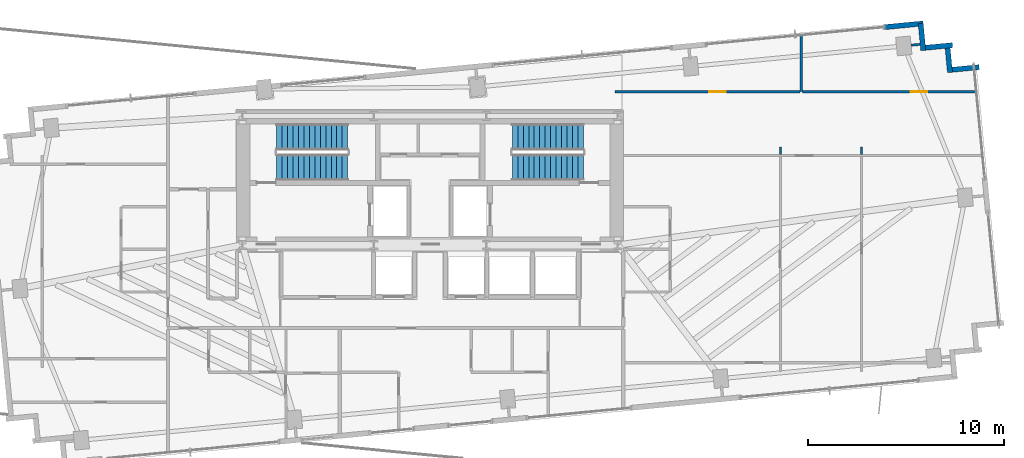
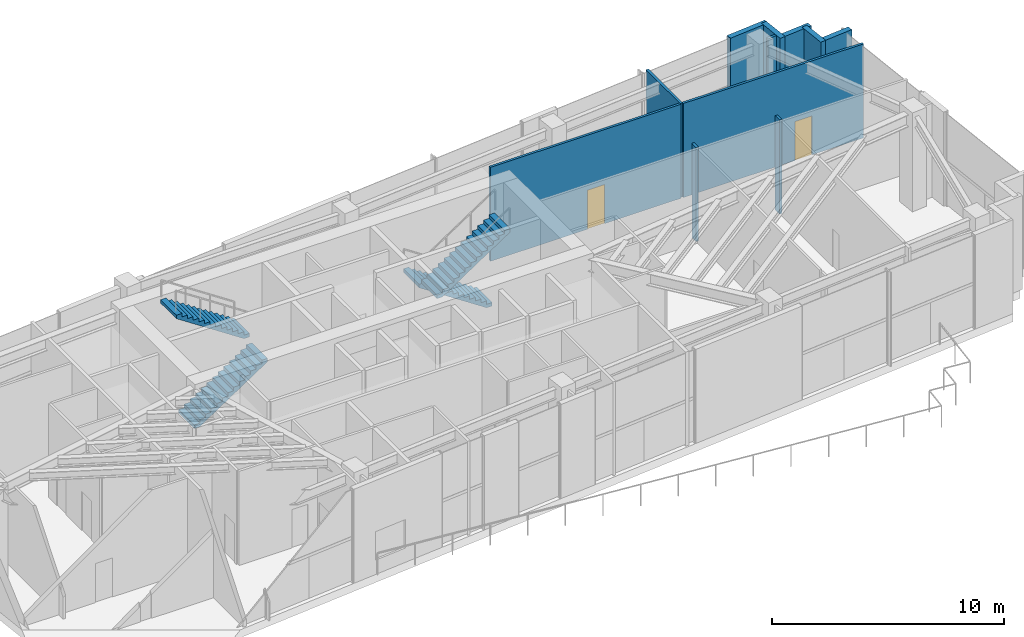
# One storey, part 17 of 21: 11 walls, 4 stair flights, 2 doors, 2 openings, 2 elements without a shape of their own.
"""IFC4 building model written with IfcOpenShell, lengths in metres."""

from ifc_helpers import new_model, si_unit, direction, frame, frame_2d, origin, place, context, subcontext, project, spatial, polyline, rectangle, outline, extrude, source, transform, mapped, material, layer, layer_set, type_object, type_shapes, element, fill, aggregate, save


model = new_model("IFC4")

# Units and contexts
model_context = context("Model", 3, precision=1e-05, world=origin(), true_north=direction((0.0, 1.0)))
body_context = subcontext(model_context, "Body", "Model", "MODEL_VIEW")
ifc_project = project(units=[si_unit("LENGTHUNIT", "METRE"), si_unit("AREAUNIT", "SQUARE_METRE"), si_unit("VOLUMEUNIT", "CUBIC_METRE"), si_unit("PLANEANGLEUNIT", "RADIAN"), si_unit("MASSUNIT", "GRAM", prefix="KILO")], contexts=[model_context])

# Site, building, storey
site_placement = place(None, origin())
site = spatial("IfcSite", under=ifc_project, at=site_placement, CompositionType="ELEMENT")
building_placement = place(site_placement, origin())
building = spatial("IfcBuilding", under=site, at=building_placement, Name="Astriad Promenade Condominiums", CompositionType="ELEMENT")
storey_placement = place(building_placement, frame((0.0, 0.0, 167.800048828125)))
storey = spatial("IfcBuildingStorey", under=building, at=storey_placement, Name="L48", CompositionType="ELEMENT", Elevation=167.800048828125)

# Walls
ifc_material_1 = material(Name="Precast concrete C50/60", Category="concrete")
ifc_layer_1 = layer(ifc_material_1, 0.260009765625)
ifc_layer_set_1 = layer_set([ifc_layer_1], Name="Precast concrete C50/60")
wall_type_1 = type_object("IfcWallType", Name="WALL-EXT-TWR-260", PredefinedType="STANDARD", material=ifc_layer_set_1)
wall_1_placement = place(storey_placement, frame((59.23388671875, 28.541015625, 0.0), z_axis=(0.0, 0.0, 1.0), x_axis=(0.995398960025, 0.095817067274, 0.0)))
element("IfcWall", 1, at=wall_1_placement, inside=storey, type_object=wall_type_1, Name="W-SGCOL-L48-N-5", PredefinedType="STANDARD", context=body_context, shape_type="SweptSolid", body=[
    extrude(rectangle(XDim=2.000244140625, YDim=0.260009765625, at=frame_2d((1.0, 0.0))), origin(), (0.0, 0.0, 1.0), 4.93994140625),
])
wall_2_placement = place(storey_placement, frame((61.093994140625, 28.735107421875, 0.0), z_axis=(0.0, 0.0, 1.0), x_axis=(0.095742423056, -0.99540614245, 0.0)))
element("IfcWall", 2, at=wall_2_placement, inside=storey, type_object=wall_type_1, Name="W-SER-L48-09", PredefinedType="STANDARD", context=body_context, shape_type="SweptSolid", body=[
    extrude(rectangle(XDim=1.394775390625, YDim=0.260009765625, at=frame_2d((0.697265625, 0.0))), origin(), (0.0, 0.0, 1.0), 4.93994140625),
])
wall_3_placement = place(storey_placement, frame((61.32958984375, 27.487060546875, 0.0), z_axis=(0.0, 0.0, 1.0), x_axis=(0.995391056452, 0.09589913835, 0.0)))
element("IfcWall", 3, at=wall_3_placement, inside=storey, type_object=wall_type_1, Name="W-SER-L48-10", PredefinedType="STANDARD", context=body_context, shape_type="SweptSolid", body=[
    extrude(rectangle(XDim=1.39501953125, YDim=0.260009765625, at=frame_2d((0.697509765625, 0.0))), origin(), (0.0, 0.0, 1.0), 4.93994140625),
])
for number, where, z_axis, x_axis, name in (
    (4, (62.4580078125, 27.610595703125, 0.0), (0.0, 0.0, 1.0), (0.095915846097, -0.995389446633, 0.0), "W-SER-L48-11"),
    (5, (62.69384765625, 26.362548828125, 0.0), (0.0, 0.0, 1.0), (0.995389446633, 0.095915846097, 0.0), "W-SER-L48-12"),
):
    element("IfcWall", number, at=place(storey_placement, frame(where, z_axis=z_axis, x_axis=x_axis)), inside=storey, type_object=wall_type_1, Name=name, PredefinedType="STANDARD", context=body_context, shape_type="SweptSolid", body=[
        extrude(rectangle(XDim=1.394775390625, YDim=0.260009765625, at=frame_2d((0.697265625, 0.0))), origin(), (0.0, 0.0, 1.0), 4.93994140625),
    ])
ifc_material_2 = material(Name="Acoustic Metal-Stud Gypsum Partition")
ifc_layer_2 = layer(ifc_material_2, 0.1201171875)
ifc_layer_set_2 = layer_set([ifc_layer_2], Name="Acoustic Metal-Stud Gypsum Partition")
wall_type_2 = type_object("IfcWallType", Name="WALL-PART-120", PredefinedType="PARTITIONING", material=ifc_layer_set_2)
wall_4_placement = place(storey_placement, frame((54.98291015625, 25.2470703125, 0.0), z_axis=(0.0, 0.0, 1.0), x_axis=(0.0, 1.0, 0.0)))
element("IfcWall", 6, at=wall_4_placement, inside=storey, type_object=wall_type_2, Name="PT-L48-E1-B1M", PredefinedType="PARTITIONING", context=body_context, shape_type="SweptSolid", body=[
    extrude(rectangle(XDim=2.934814453125, YDim=0.1201171875, at=frame_2d((1.46728515625, 0.0))), origin(), (0.0, 0.0, 1.0), 4.93994140625),
])

# Wall, opening, door
wall_5_placement = place(storey_placement, frame((45.4599609375, 25.2470703125, 0.0), z_axis=(0.0, 0.0, 1.0), x_axis=(1.0, 0.0, 0.0)))
wall_5 = element("IfcWall", 7, at=wall_5_placement, inside=storey, type_object=wall_type_2, Name="PT-L48-E1-B1", PredefinedType="PARTITIONING", context=body_context, shape_type="SweptSolid", body=[
    extrude(rectangle(XDim=9.4609375, YDim=0.1201171875, at=frame_2d((4.73046875, 0.0))), origin(), (0.0, 0.0, 1.0), 4.93994140625),
])
opening_1_placement = place(wall_5_placement, frame((4.825927734375, 0.0, 0.0)))
opening_1 = element("IfcOpeningElement", 8, at=opening_1_placement, cuts=wall_5, Name="Opening D-INT-085", PredefinedType="OPENING", context=body_context, shape_type="SweptSolid", body=[
    extrude(rectangle(XDim=0.85009765625, YDim=2.050048828125, at=frame_2d((0.425048828125, 1.02490234375))), frame((0.0, 0.070068359375, 0.0), z_axis=(0.0, -1.0, 0.0), x_axis=(1.0, 0.0, 0.0)), (0.0, 0.0, 1.0), 0.14013671875),
])
ifc_material_3 = material(Name="Painted Solid-Core Timber Room Door", Category="wood")
door_type = type_object("IfcDoorType", Name="D-INT-085", OperationType="NOTDEFINED", PredefinedType="DOOR", material=ifc_material_3)
shared_shape_1 = source(origin(), body_context, "Body", "SweptSolid", [
    extrude(rectangle(XDim=0.85009765625, YDim=2.050048828125, at=frame_2d((0.425048828125, 1.02490234375))), frame((0.0, 0.02490234375, 0.0), z_axis=(0.0, -1.0, 0.0), x_axis=(1.0, 0.0, 0.0)), (0.0, 0.0, 1.0), 0.050048828125),
])
type_shapes(door_type, [shared_shape_1])
door_1_placement = place(opening_1_placement, origin())
door_1 = element("IfcDoor", 9, at=door_1_placement, inside=storey, type_object=door_type, Name="D-BD1-L48-E1", OperationType="SINGLE_SWING_RIGHT", OverallHeight=2.050048828125, OverallWidth=0.85009765625, PredefinedType="DOOR", context=body_context, shape_type="MappedRepresentation", body=[
    mapped(shared_shape_1, transform((0.0, 0.0, 0.0), scale=1.0)),
])
fill(opening_1, door_1)

wall_6_placement = place(storey_placement, frame((55.044921875, 25.2470703125, 0.0), z_axis=(0.0, 0.0, 1.0), x_axis=(1.0, 0.0, 0.0)))
wall_6 = element("IfcWall", 10, at=wall_6_placement, inside=storey, type_object=wall_type_2, Name="PT-L48-E1-B1-S2", PredefinedType="PARTITIONING", context=body_context, shape_type="SweptSolid", body=[
    extrude(rectangle(XDim=8.94677734375, YDim=0.1201171875, at=frame_2d((4.473388671875, 0.0))), origin(), (0.0, 0.0, 1.0), 4.93994140625),
])
opening_2_placement = place(wall_6_placement, frame((5.5400390625, 0.0, 0.0)))
opening_2 = element("IfcOpeningElement", 11, at=opening_2_placement, cuts=wall_6, Name="Opening D-INT-085", PredefinedType="OPENING", context=body_context, shape_type="SweptSolid", body=[
    extrude(rectangle(XDim=0.85009765625, YDim=2.050048828125, at=frame_2d((0.425048828125, 1.02490234375))), frame((0.0, 0.070068359375, 0.0), z_axis=(0.0, -1.0, 0.0), x_axis=(1.0, 0.0, 0.0)), (0.0, 0.0, 1.0), 0.14013671875),
])
door_2_placement = place(opening_2_placement, origin())
door_2 = element("IfcDoor", 12, at=door_2_placement, inside=storey, type_object=door_type, Name="D-BD1B-L48-E1", OperationType="SINGLE_SWING_LEFT", OverallHeight=2.050048828125, OverallWidth=0.85009765625, PredefinedType="DOOR", context=body_context, shape_type="MappedRepresentation", body=[
    mapped(shared_shape_1, transform((0.0, 0.0, 0.0), scale=1.0)),
])
fill(opening_2, door_2)

# Walls
for number, where, z_axis, x_axis, name in (
    (13, (58.070068359375, 22.0390625, 0.0), (0.0, 0.0, 1.0), (0.0, 1.0, 0.0), "PT-L48-E1-WDV3-S3"),
    (14, (53.923095703125, 22.0390625, 0.0), (0.0, 0.0, 1.0), (0.0, 1.0, 0.0), "PT-L48-E1-WDV4-S3"),
):
    element("IfcWall", number, at=place(storey_placement, frame(where, z_axis=z_axis, x_axis=x_axis)), inside=storey, type_object=wall_type_2, Name=name, PredefinedType="PARTITIONING", context=body_context, shape_type="SweptSolid", body=[
        extrude(rectangle(XDim=0.3779296875, YDim=0.1201171875, at=frame_2d((0.18896484375, 0.0))), origin(), (0.0, 0.0, 1.0), 4.93994140625),
    ])
wall_7_placement = place(storey_placement, frame((60.60888671875, 27.618408203125, 0.0), z_axis=(0.0, 0.0, 1.0), x_axis=(0.995384576284, 0.09596637586, 0.0)))
element("IfcWall", 15, at=wall_7_placement, inside=storey, type_object=wall_type_2, Name="PT-PIL-L48-PC10-17", PredefinedType="PARTITIONING", context=body_context, shape_type="SweptSolid", body=[
    extrude(rectangle(XDim=0.4580078125, YDim=0.1201171875, at=frame_2d((0.22900390625, 0.0))), origin(), (0.0, 0.0, 1.0), 4.93994140625),
])

# Stair, stair flights
ifc_material_4 = material(Name="Concrete C50/60", Category="concrete")
stair_type = type_object("IfcStairType", Name="STR-CORE-1350", PredefinedType="HALF_TURN_STAIR", material=ifc_material_4)
stair_1_placement = place(storey_placement, origin())
stair_1 = element("IfcStair", 16, at=stair_1_placement, inside=storey, type_object=stair_type, Name="L48 Enclosed Core Exit Stair ST-1", PredefinedType="HALF_TURN_STAIR")
stair_flight_type = type_object("IfcStairFlightType", Name="SFL-CORE-1350", PredefinedType="STRAIGHT", material=ifc_material_4)
shared_shape_2 = source(origin(), body_context, "Body", "SweptSolid", [
    extrude(outline(polyline([(0.0, 0.0), (0.0, 0.185791015625), (0.280029296875, 0.185791015625), (0.280029296875, 0.371337890625), (0.56005859375, 0.371337890625), (0.56005859375, 0.55712890625), (0.840087890625, 0.55712890625), (0.840087890625, 0.742919921875), (1.1201171875, 0.742919921875), (1.1201171875, 0.928466796875), (1.39990234375, 0.928466796875), (1.39990234375, 1.1142578125), (1.679931640625, 1.1142578125), (1.679931640625, 1.300048828125), (1.9599609375, 1.300048828125), (1.9599609375, 1.485595703125), (2.239990234375, 1.485595703125), (2.239990234375, 1.67138671875), (2.52001953125, 1.67138671875), (2.52001953125, 1.857177734375), (2.800048828125, 1.857177734375), (2.800048828125, 2.04296875), (3.080078125, 2.04296875), (3.080078125, 2.228515625), (3.360107421875, 2.228515625), (3.360107421875, 2.414306640625), (3.639892578125, 2.414306640625), (3.639892578125, 2.60009765625), (3.639892578125, 2.234375), (0.271240234375, 0.0), (0.0, 0.0)])), frame((0.0, 0.675048828125, 0.0), z_axis=(0.0, -1.0, 0.0), x_axis=(1.0, 0.0, 0.0)), (0.0, 0.0, 1.0), 1.35009765625),
])
type_shapes(stair_flight_type, [shared_shape_2])
stair_flight_1_placement = place(storey_placement, frame((28.14990234375, 21.375, 0.0), z_axis=(0.0, 0.0, 1.0), x_axis=(1.0, 0.0, 0.0)))
stair_flight_1 = element("IfcStairFlight", 17, at=stair_flight_1_placement, type_object=stair_flight_type, Name="ST-1 flight 1", NumberOfRisers=14, NumberOfTreads=13, PredefinedType="STRAIGHT", RiserHeight=0.185714286, TreadLength=0.28, context=body_context, shape_type="MappedRepresentation", body=[
    mapped(shared_shape_2, transform((0.0, 0.0, 0.0), scale=1.0)),
])
stair_flight_2_placement = place(storey_placement, frame((31.7900390625, 22.925048828125, 2.599853515625), z_axis=(0.0, 0.0, 1.0), x_axis=(-1.0, 0.0, 0.0)))
stair_flight_2 = element("IfcStairFlight", 18, at=stair_flight_2_placement, type_object=stair_flight_type, Name="ST-1 flight 2", NumberOfRisers=14, NumberOfTreads=13, PredefinedType="STRAIGHT", RiserHeight=0.185714286, TreadLength=0.28, context=body_context, shape_type="MappedRepresentation", body=[
    mapped(shared_shape_2, transform((0.0, 0.0, 0.0), scale=1.0)),
])
aggregate(stair_1, [stair_flight_1, stair_flight_2])

stair_2_placement = place(storey_placement, origin())
stair_2 = element("IfcStair", 19, at=stair_2_placement, inside=storey, type_object=stair_type, Name="L48 Enclosed Core Exit Stair ST-2", PredefinedType="HALF_TURN_STAIR")
stair_flight_3_placement = place(storey_placement, frame((43.85009765625, 22.925048828125, 0.0), z_axis=(0.0, 0.0, 1.0), x_axis=(-1.0, 0.0, 0.0)))
stair_flight_3 = element("IfcStairFlight", 20, at=stair_flight_3_placement, type_object=stair_flight_type, Name="ST-2 flight 1", NumberOfRisers=14, NumberOfTreads=13, PredefinedType="STRAIGHT", RiserHeight=0.185714286, TreadLength=0.28, context=body_context, shape_type="MappedRepresentation", body=[
    mapped(shared_shape_2, transform((0.0, 0.0, 0.0), scale=1.0)),
])
stair_flight_4_placement = place(storey_placement, frame((40.2099609375, 21.375, 2.599853515625), z_axis=(0.0, 0.0, 1.0), x_axis=(1.0, 0.0, 0.0)))
stair_flight_4 = element("IfcStairFlight", 21, at=stair_flight_4_placement, type_object=stair_flight_type, Name="ST-2 flight 2", NumberOfRisers=14, NumberOfTreads=13, PredefinedType="STRAIGHT", RiserHeight=0.185714286, TreadLength=0.28, context=body_context, shape_type="MappedRepresentation", body=[
    mapped(shared_shape_2, transform((0.0, 0.0, 0.0), scale=1.0)),
])
aggregate(stair_2, [stair_flight_3, stair_flight_4])

save(model, "model.ifc")
